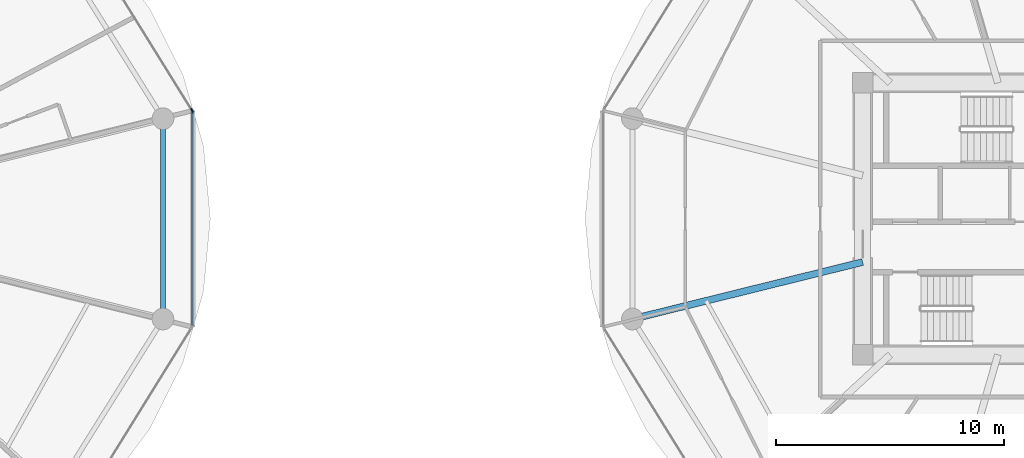
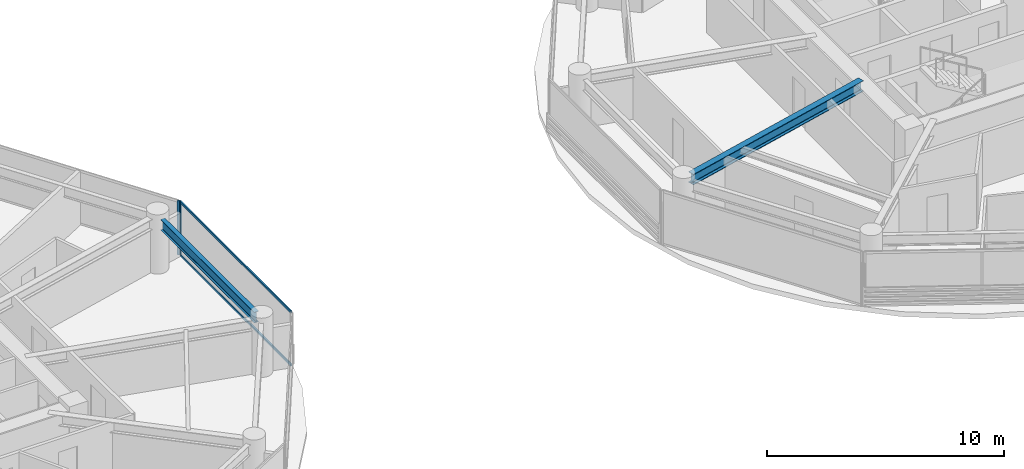
# One storey, part 7 of 28: 4 members, 2 beams, 2 elements without a shape of their own.
"""IFC4 building model written with IfcOpenShell, lengths in metres."""

from ifc_helpers import new_model, si_unit, direction, frame, origin, origin_2d, place, context, subcontext, project, spatial, rectangle, i_section, extrude, source, transform, mapped, material, layer, layer_set, material_profile, profile_set, type_object, type_shapes, element, aggregate, save


model = new_model("IFC4")

# Units and contexts
model_context = context("Model", 3, precision=1e-05, world=origin(), true_north=direction((0.0, 1.0)))
body_context = subcontext(model_context, "Body", "Model", "MODEL_VIEW")
ifc_project = project(units=[si_unit("LENGTHUNIT", "METRE"), si_unit("AREAUNIT", "SQUARE_METRE"), si_unit("VOLUMEUNIT", "CUBIC_METRE"), si_unit("PLANEANGLEUNIT", "RADIAN"), si_unit("MASSUNIT", "GRAM", prefix="KILO")], contexts=[model_context])

# Site, building, storey
site_placement = place(None, origin())
site = spatial("IfcSite", under=ifc_project, at=site_placement, CompositionType="ELEMENT")
building_placement = place(site_placement, origin())
building = spatial("IfcBuilding", under=site, at=building_placement, Name="Norrkilde Senior Care Towers", CompositionType="ELEMENT")
storey_placement = place(building_placement, frame((0.0, 0.0, 39.89990234375)))
storey = spatial("IfcBuildingStorey", under=building, at=storey_placement, Name="L11", CompositionType="ELEMENT", Elevation=39.89990234375)

# Beams
ifc_material_1 = material(Name="Steel S355", Category="steel")
ifc_material_profile_1 = material_profile(ifc_material_1, i_section(OverallWidth=0.300048828125, OverallDepth=0.550048828125, WebThickness=0.014892578125, FlangeThickness=0.029052734375, FilletRadius=0.027099609375, at=origin_2d()), Name="HEB 550")
ifc_profile_set_1 = profile_set([ifc_material_profile_1], Name="Steel S355")
beam_type_1 = type_object("IfcBeamType", Name="Radial Floor Beam Z1 HEB550", PredefinedType="BEAM", material=ifc_profile_set_1)
shared_shape_1 = source(origin(), body_context, "Body", "SweptSolid", [
    extrude(i_section(OverallWidth=0.300048828125, OverallDepth=0.550048828125, WebThickness=0.014892578125, FlangeThickness=0.029052734375, FilletRadius=0.027099609375, at=origin_2d()), origin(), (0.0, 0.0, 1.0), 9.94384765625),
])
type_shapes(beam_type_1, [shared_shape_1])
beam_1_placement = place(storey_placement, frame((20.35009765625, -1.893310546875, 2.51513671875), z_axis=(-0.970707425182, -0.240264634718, 0.0), x_axis=(0.240264634718, -0.970707425182, 0.0)))
element("IfcBeam", 1, at=beam_1_placement, inside=storey, type_object=beam_type_1, Name="L11 Drum E Radial Floor Beam 07", PredefinedType="BEAM", context=body_context, shape_type="MappedRepresentation", body=[
    mapped(shared_shape_1, transform((0.0, 0.0, 0.0), x_axis=(1.0, 0.0, 0.0), y_axis=(0.0, 1.0, 0.0), z_axis=(0.0, 0.0, 1.0), scale=1.0)),
])
ifc_material_profile_2 = material_profile(ifc_material_1, i_section(OverallWidth=0.2099609375, OverallDepth=0.550048828125, WebThickness=0.010986328125, FlangeThickness=0.01708984375, FilletRadius=0.02392578125, at=origin_2d()), Name="IPE 550")
ifc_profile_set_2 = profile_set([ifc_material_profile_2], Name="Steel S355")
beam_type_2 = type_object("IfcBeamType", Name="Perimeter Ring Spandrel Z1 IPE550", PredefinedType="SPANDREL", material=ifc_profile_set_2)
shared_shape_2 = source(origin(), body_context, "Body", "SweptSolid", [
    extrude(i_section(OverallWidth=0.2099609375, OverallDepth=0.550048828125, WebThickness=0.010986328125, FlangeThickness=0.01708984375, FilletRadius=0.02392578125, at=origin_2d()), origin(), (0.0, 0.0, 1.0), 7.90380859375),
])
type_shapes(beam_type_2, [shared_shape_2])
beam_2_placement = place(storey_placement, frame((-10.275146484375, -3.951904296875, 2.51513671875), z_axis=(0.0, 1.0, 0.0), x_axis=(-1.0, 0.0, 0.0)))
element("IfcBeam", 2, at=beam_2_placement, inside=storey, type_object=beam_type_2, Name="L11 Drum W Perimeter Spandrel 12", PredefinedType="SPANDREL", context=body_context, shape_type="MappedRepresentation", body=[
    mapped(shared_shape_2, transform((0.0, 0.0, 0.0), x_axis=(1.0, 0.0, 0.0), y_axis=(0.0, 1.0, 0.0), z_axis=(0.0, 0.0, 1.0), scale=1.0)),
])

# Curtain wall, member
ifc_material_2 = material(Name="Triple Low-E Insulated Glazing", Category="glass")
ifc_layer = layer(ifc_material_2, 0.199951171875)
ifc_layer_set = layer_set([ifc_layer], Name="Triple Low-E Insulated Glazing")
curtain_wall_type = type_object("IfcCurtainWallType", Name="CW2 Zone 1 Memory Care Curtain Wall", PredefinedType="NOTDEFINED", material=ifc_layer_set)
curtain_wall_1_placement = place(storey_placement, origin())
curtain_wall_1 = element("IfcCurtainWall", 3, at=curtain_wall_1_placement, inside=storey, type_object=curtain_wall_type, Name="L11 Drum W Curtain Wall 00", PredefinedType="NOTDEFINED")
ifc_material_3 = material(Name="Anodised Aluminium", Category="aluminium")
ifc_material_profile_3 = material_profile(ifc_material_3, rectangle(XDim=0.06494140625, YDim=0.159912109375, at=origin_2d()), Name="ALU MULL 65x160")
ifc_profile_set_3 = profile_set([ifc_material_profile_3], Name="Anodised Aluminium")
member_type_1 = type_object("IfcMemberType", Name="Curtain Wall Mullion Z1-Z2 65x160", PredefinedType="MULLION", material=ifc_profile_set_3)
shared_shape_3 = source(origin(), body_context, "Body", "SweptSolid", [
    extrude(rectangle(XDim=0.06494140625, YDim=0.159912109375, at=origin_2d()), origin(), (0.0, 0.0, 1.0), 2.7900390625),
])
type_shapes(member_type_1, [shared_shape_3])
member_1_placement = place(storey_placement, frame((-9.0078125, 4.7587890625, 0.0), z_axis=(0.0, 0.0, 1.0), x_axis=(0.849305943117, 0.527900951871, 0.0)))
member_1 = element("IfcMember", 4, at=member_1_placement, type_object=member_type_1, Name="CW-2 mullion 2", PredefinedType="MULLION", context=body_context, shape_type="MappedRepresentation", body=[
    mapped(shared_shape_3, transform((0.0, 0.0, 0.0), x_axis=(1.0, 0.0, 0.0), y_axis=(0.0, 1.0, 0.0), z_axis=(0.0, 0.0, 1.0), scale=1.0)),
])
aggregate(curtain_wall_1, [member_1])

# Curtain wall, members
curtain_wall_2_placement = place(storey_placement, origin())
curtain_wall_2 = element("IfcCurtainWall", 5, at=curtain_wall_2_placement, inside=storey, type_object=curtain_wall_type, Name="L11 Drum W Curtain Wall 11", PredefinedType="NOTDEFINED")
member_2_placement = place(storey_placement, frame((-8.990478515625, 4.69873046875, 0.0), z_axis=(0.0, 0.0, 1.0), x_axis=(1.0, 0.0, 0.0)))
member_2 = element("IfcMember", 6, at=member_2_placement, type_object=member_type_1, Name="CW-2 mullion 1", PredefinedType="MULLION", context=body_context, shape_type="MappedRepresentation", body=[
    mapped(shared_shape_3, transform((0.0, 0.0, 0.0), x_axis=(1.0, 0.0, 0.0), y_axis=(0.0, 1.0, 0.0), z_axis=(0.0, 0.0, 1.0), scale=1.0)),
])
ifc_material_profile_4 = material_profile(ifc_material_3, rectangle(XDim=0.06005859375, YDim=0.1201171875, at=origin_2d()), Name="ALU TRAN 60x120")
ifc_profile_set_4 = profile_set([ifc_material_profile_4], Name="Anodised Aluminium")
member_type_2 = type_object("IfcMemberType", Name="Curtain Wall Transom Typical 60x120", PredefinedType="USERDEFINED", material=ifc_profile_set_4)
shared_shape_4 = source(origin(), body_context, "Body", "SweptSolid", [
    extrude(rectangle(XDim=0.06005859375, YDim=0.1201171875, at=origin_2d()), origin(), (0.0, 0.0, 1.0), 9.33251953125),
])
type_shapes(member_type_2, [shared_shape_4])
member_3_placement = place(storey_placement, frame((-8.990478515625, 4.666259765625, 0.030029296875), z_axis=(0.0, -1.0, 0.0), x_axis=(1.0, 0.0, 0.0)))
member_3 = element("IfcMember", 7, at=member_3_placement, type_object=member_type_2, Name="CW-2 transom 1.1", ObjectType="TRANSOM", PredefinedType="USERDEFINED", context=body_context, shape_type="MappedRepresentation", body=[
    mapped(shared_shape_4, transform((0.0, 0.0, 0.0), x_axis=(1.0, 0.0, 0.0), y_axis=(0.0, 1.0, 0.0), z_axis=(0.0, 0.0, 1.0), scale=1.0)),
])
member_4_placement = place(storey_placement, frame((-8.990478515625, 4.666259765625, 2.760009765625), z_axis=(0.0, -1.0, 0.0), x_axis=(1.0, 0.0, 0.0)))
member_4 = element("IfcMember", 8, at=member_4_placement, type_object=member_type_2, Name="CW-2 transom 1.2", ObjectType="TRANSOM", PredefinedType="USERDEFINED", context=body_context, shape_type="MappedRepresentation", body=[
    mapped(shared_shape_4, transform((0.0, 0.0, 0.0), x_axis=(1.0, 0.0, 0.0), y_axis=(0.0, 1.0, 0.0), z_axis=(0.0, 0.0, 1.0), scale=1.0)),
])
aggregate(curtain_wall_2, [member_2, member_3, member_4])

save(model, "model.ifc")
